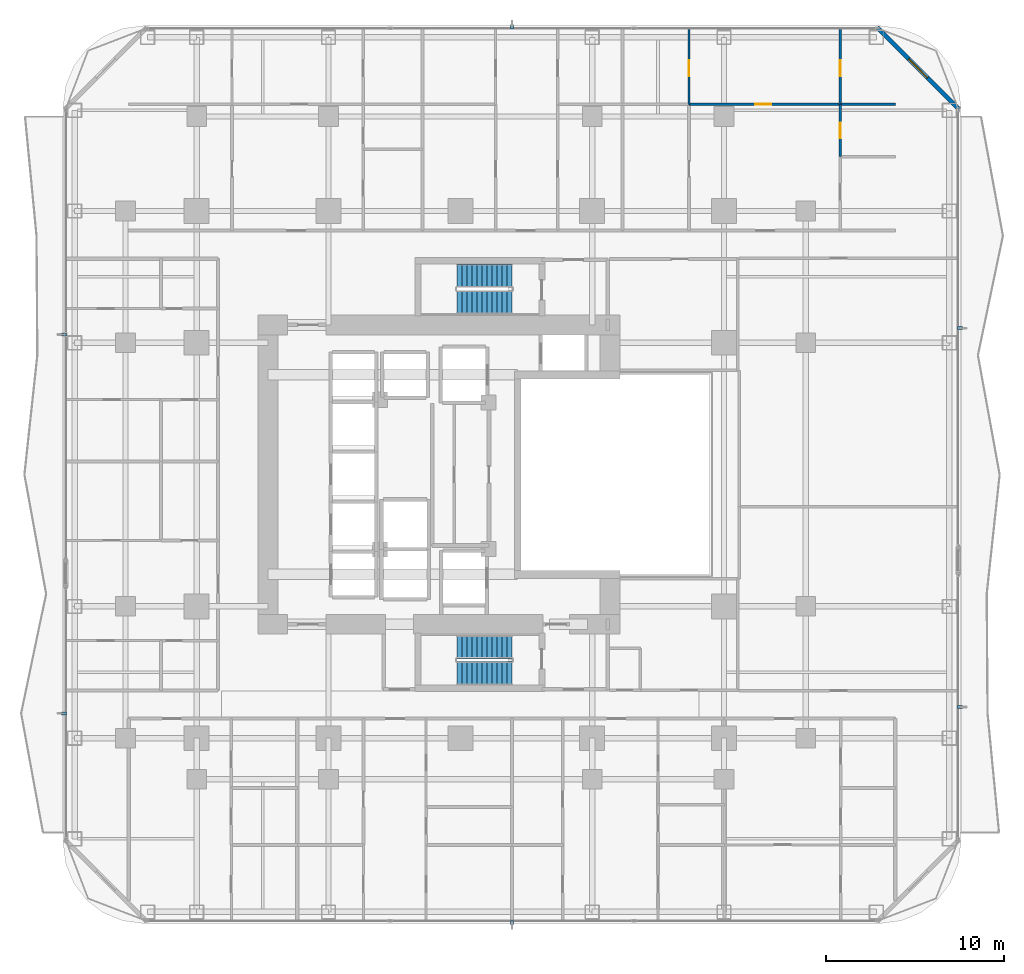
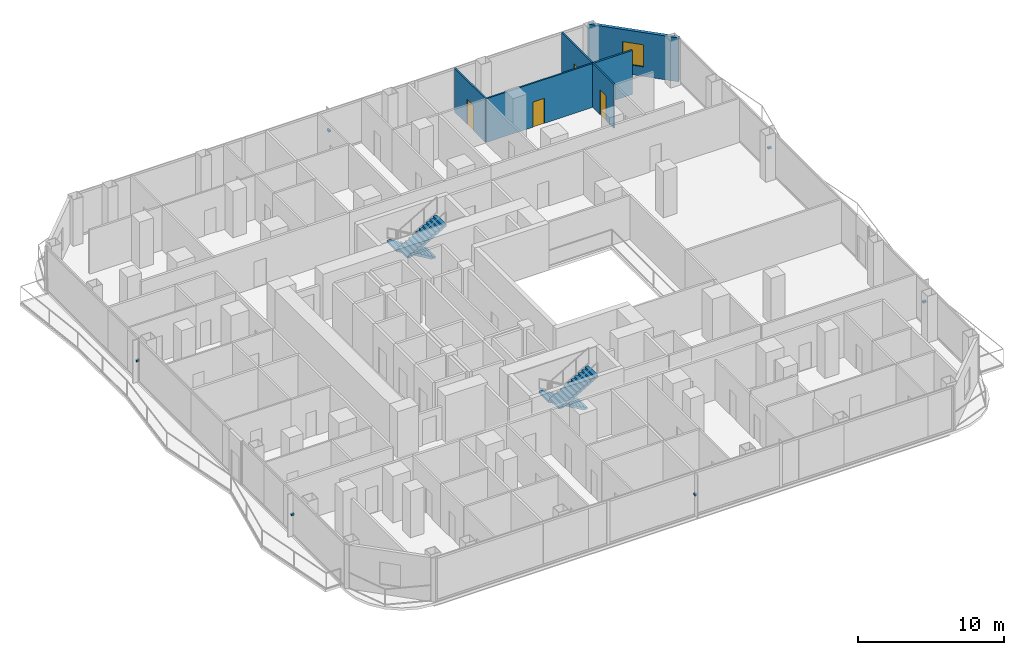
# One storey, part 25 of 30: 6 discrete accessories, 6 walls, 4 doors, 4 stair flights, 1 window, 5 openings, 2 elements without a shape of their own.
"""IFC4 building model written with IfcOpenShell, lengths in metres."""

from ifc_helpers import new_model, si_unit, direction, frame, frame_2d, origin, origin_2d, place, context, subcontext, project, spatial, polyline, rectangle, outline, extrude, material, layer, layer_set, type_object, element, fill, aggregate, save


model = new_model("IFC4")

# Units and contexts
model_context = context("Model", 3, precision=1e-05, world=origin(), true_north=direction((0.0, 1.0)))
body_context = subcontext(model_context, "Body", "Model", "MODEL_VIEW")
ifc_project = project(units=[si_unit("LENGTHUNIT", "METRE"), si_unit("AREAUNIT", "SQUARE_METRE"), si_unit("VOLUMEUNIT", "CUBIC_METRE"), si_unit("PLANEANGLEUNIT", "RADIAN"), si_unit("MASSUNIT", "GRAM", prefix="KILO")], contexts=[model_context])

# Site, building, storey
site_placement = place(None, origin())
site = spatial("IfcSite", under=ifc_project, at=site_placement, CompositionType="ELEMENT")
building_placement = place(site_placement, origin())
building = spatial("IfcBuilding", under=site, at=building_placement, Name="Khorvyn Point Tower", CompositionType="ELEMENT")
storey_placement = place(building_placement, frame((0.0, 0.0, 30.60009765625)))
storey = spatial("IfcBuildingStorey", under=building, at=storey_placement, Name="L08", CompositionType="ELEMENT", Elevation=30.60009765625)

# Wall, opening, window
ifc_material_1 = material(Name="Pale anodised aluminium rainscreen on steel stud", Category="steel")
ifc_layer_1 = layer(ifc_material_1, 0.239990234375)
ifc_layer_set_1 = layer_set([ifc_layer_1], Name="Anodised Aluminium Insulated Corner Spandrel Wall 240")
wall_type_1 = type_object("IfcWallType", Name="Anodised Aluminium Insulated Corner Spandrel Wall 240", PredefinedType="SOLIDWALL", material=ifc_layer_set_1)
wall_1_placement = place(storey_placement, frame((23.40771484375, 25.09228515625, 0.0), z_axis=(0.0, 0.0, 1.0), x_axis=(0.707106781187, -0.707106781187, 0.0)))
wall_1 = element("IfcWall", 1, at=wall_1_placement, inside=storey, type_object=wall_type_1, Name="L08 Rounded Corner Wall NE", PredefinedType="SOLIDWALL", context=body_context, shape_type="SweptSolid", body=[
    extrude(rectangle(XDim=6.48388671875, YDim=0.239990234375, at=frame_2d((3.241943359375, 0.0))), origin(), (0.0, 0.0, 1.0), 3.679931640625),
])
opening_1_placement = place(wall_1_placement, frame((2.491943359375, 0.0, 0.800048828125)))
opening_1 = element("IfcOpeningElement", 2, at=opening_1_placement, cuts=wall_1, Name="Opening WN-1518", PredefinedType="OPENING", context=body_context, shape_type="SweptSolid", body=[
    extrude(rectangle(XDim=1.5, YDim=1.85009765625, at=frame_2d((0.75, 0.925048828125))), frame((0.0, 0.1298828125, 0.0), z_axis=(0.0, -1.0, 0.0), x_axis=(1.0, 0.0, 0.0)), (0.0, 0.0, 1.0), 0.260009765625),
])
ifc_material_2 = material(Name="Anodised aluminium 6063-T6 and laminated Low-E glass", Category="aluminium")
window_type = type_object("IfcWindowType", Name="Anodised Aluminium Rounded-Corner Panoramic Window 1500x1850", PartitioningType="SINGLE_PANEL", PredefinedType="WINDOW", material=ifc_material_2)
window_placement = place(opening_1_placement, origin())
window = element("IfcWindow", 3, at=window_placement, inside=storey, type_object=window_type, Name="L08 Corner Panoramic Window NE", OverallHeight=1.85009765625, OverallWidth=1.5, PartitioningType="SINGLE_PANEL", PredefinedType="WINDOW", context=body_context, shape_type="SweptSolid", body=[
    extrude(rectangle(XDim=1.5, YDim=1.85009765625, at=frame_2d((0.75, 0.925048828125))), frame((0.0, 0.030029296875, 0.0), z_axis=(0.0, -1.0, 0.0), x_axis=(1.0, 0.0, 0.0)), (0.0, 0.0, 1.0), 0.06005859375),
])
fill(opening_1, window)

# Wall, opening, door
ifc_material_3 = material(Name="Gypsum plasterboard on steel stud", Category="steel")
ifc_layer_2 = layer(ifc_material_3, 0.1201171875)
ifc_layer_set_2 = layer_set([ifc_layer_2], Name="Gypsum Acoustic Stud Room Partition Wall 120")
wall_type_2 = type_object("IfcWallType", Name="Gypsum Acoustic Stud Room Partition Wall 120", PredefinedType="PARTITIONING", material=ifc_layer_set_2)
wall_2_placement = place(storey_placement, frame((12.833984375, 20.7900390625, 0.0), z_axis=(0.0, 0.0, 1.0), x_axis=(1.0, 0.0, 0.0)))
wall_2 = element("IfcWall", 4, at=wall_2_placement, inside=storey, type_object=wall_type_2, Name="Wall", PredefinedType="PARTITIONING", context=body_context, shape_type="SweptSolid", body=[
    extrude(rectangle(XDim=8.49609375, YDim=0.1201171875, at=frame_2d((4.248046875, 0.0))), origin(), (0.0, 0.0, 1.0), 3.679931640625),
])
opening_2_placement = place(wall_2_placement, frame((3.709228515625, 0.0, 0.0)))
opening_2 = element("IfcOpeningElement", 5, at=opening_2_placement, cuts=wall_2, Name="Opening ID-RM90", PredefinedType="OPENING", context=body_context, shape_type="SweptSolid", body=[
    extrude(rectangle(XDim=0.89990234375, YDim=2.10009765625, at=frame_2d((0.449951171875, 1.050048828125))), frame((0.0, 0.070068359375, 0.0), z_axis=(0.0, -1.0, 0.0), x_axis=(1.0, 0.0, 0.0)), (0.0, 0.0, 1.0), 0.14013671875),
])
ifc_material_4 = material(Name="Engineered oak veneer timber", Category="wood")
door_type_1 = type_object("IfcDoorType", Name="Flush Engineered Timber Room Door 900x2100", OperationType="NOTDEFINED", PredefinedType="DOOR", material=ifc_material_4)
door_1_placement = place(opening_2_placement, origin())
door_1 = element("IfcDoor", 6, at=door_1_placement, inside=storey, type_object=door_type_1, Name="Door", OperationType="SINGLE_SWING_RIGHT", OverallHeight=2.10009765625, OverallWidth=0.89990234375, PredefinedType="DOOR", context=body_context, shape_type="SweptSolid", body=[
    extrude(rectangle(XDim=0.89990234375, YDim=2.10009765625, at=frame_2d((0.449951171875, 1.050048828125))), frame((0.0, 0.02490234375, 0.0), z_axis=(0.0, -1.0, 0.0), x_axis=(1.0, 0.0, 0.0)), (0.0, 0.0, 1.0), 0.050048828125),
])
fill(opening_2, door_1)

wall_3_placement = place(storey_placement, frame((12.833984375, 20.7900390625, 0.0), z_axis=(0.0, 0.0, 1.0), x_axis=(0.0, 1.0, 0.0)))
wall_3 = element("IfcWall", 7, at=wall_3_placement, inside=storey, type_object=wall_type_2, Name="Wall", PredefinedType="PARTITIONING", context=body_context, shape_type="SweptSolid", body=[
    extrude(rectangle(XDim=4.239990234375, YDim=0.1201171875, at=frame_2d((2.1201171875, 0.0))), origin(), (0.0, 0.0, 1.0), 3.679931640625),
])
opening_3_placement = place(wall_3_placement, frame((1.581298828125, 0.0, 0.0)))
opening_3 = element("IfcOpeningElement", 8, at=opening_3_placement, cuts=wall_3, Name="Opening ID-RM90", PredefinedType="OPENING", context=body_context, shape_type="SweptSolid", body=[
    extrude(rectangle(XDim=0.89990234375, YDim=2.10009765625, at=frame_2d((0.449951171875, 1.050048828125))), frame((0.0, 0.070068359375, 0.0), z_axis=(0.0, -1.0, 0.0), x_axis=(1.0, 0.0, 0.0)), (0.0, 0.0, 1.0), 0.14013671875),
])
door_2_placement = place(opening_3_placement, origin())
door_2 = element("IfcDoor", 9, at=door_2_placement, inside=storey, type_object=door_type_1, Name="Door", OperationType="SINGLE_SWING_RIGHT", OverallHeight=2.10009765625, OverallWidth=0.89990234375, PredefinedType="DOOR", context=body_context, shape_type="SweptSolid", body=[
    extrude(rectangle(XDim=0.89990234375, YDim=2.10009765625, at=frame_2d((0.449951171875, 1.050048828125))), frame((0.0, 0.02490234375, 0.0), z_axis=(0.0, -1.0, 0.0), x_axis=(1.0, 0.0, 0.0)), (0.0, 0.0, 1.0), 0.050048828125),
])
fill(opening_3, door_2)

wall_4_placement = place(storey_placement, frame((21.330078125, 17.847900390625, 0.0), z_axis=(0.0, 0.0, 1.0), x_axis=(0.0, 1.0, 0.0)))
wall_4 = element("IfcWall", 10, at=wall_4_placement, inside=storey, type_object=wall_type_2, Name="Wall", PredefinedType="PARTITIONING", context=body_context, shape_type="SweptSolid", body=[
    extrude(rectangle(XDim=2.942138671875, YDim=0.1201171875, at=frame_2d((1.47119140625, 0.0))), origin(), (0.0, 0.0, 1.0), 3.679931640625),
])
opening_4_placement = place(wall_4_placement, frame((1.0458984375, 0.0, 0.0)))
opening_4 = element("IfcOpeningElement", 11, at=opening_4_placement, cuts=wall_4, Name="Opening ID-WC85", PredefinedType="OPENING", context=body_context, shape_type="SweptSolid", body=[
    extrude(rectangle(XDim=0.85009765625, YDim=2.10009765625, at=frame_2d((0.425048828125, 1.050048828125))), frame((0.0, 0.070068359375, 0.0), z_axis=(0.0, -1.0, 0.0), x_axis=(1.0, 0.0, 0.0)), (0.0, 0.0, 1.0), 0.14013671875),
])
ifc_material_5 = material(Name="High-pressure laminate on moisture-resistant core", Category="wood")
door_type_2 = type_object("IfcDoorType", Name="Moisture-Resistant Accessible Washroom Door 850x2100", OperationType="NOTDEFINED", PredefinedType="DOOR", material=ifc_material_5)
door_3_placement = place(opening_4_placement, origin())
door_3 = element("IfcDoor", 12, at=door_3_placement, inside=storey, type_object=door_type_2, Name="Door", OperationType="SINGLE_SWING_RIGHT", OverallHeight=2.10009765625, OverallWidth=0.85009765625, PredefinedType="DOOR", context=body_context, shape_type="SweptSolid", body=[
    extrude(rectangle(XDim=0.85009765625, YDim=2.10009765625, at=frame_2d((0.425048828125, 1.050048828125))), frame((0.0, 0.02490234375, 0.0), z_axis=(0.0, -1.0, 0.0), x_axis=(1.0, 0.0, 0.0)), (0.0, 0.0, 1.0), 0.050048828125),
])
fill(opening_4, door_3)

wall_5_placement = place(storey_placement, frame((21.330078125, 20.7900390625, 0.0), z_axis=(0.0, 0.0, 1.0), x_axis=(0.0, 1.0, 0.0)))
wall_5 = element("IfcWall", 13, at=wall_5_placement, inside=storey, type_object=wall_type_2, Name="Wall", PredefinedType="PARTITIONING", context=body_context, shape_type="SweptSolid", body=[
    extrude(rectangle(XDim=4.239990234375, YDim=0.1201171875, at=frame_2d((2.1201171875, 0.0))), origin(), (0.0, 0.0, 1.0), 3.679931640625),
])
opening_5_placement = place(wall_5_placement, frame((1.581298828125, 0.0, 0.0)))
opening_5 = element("IfcOpeningElement", 14, at=opening_5_placement, cuts=wall_5, Name="Opening ID-RM90", PredefinedType="OPENING", context=body_context, shape_type="SweptSolid", body=[
    extrude(rectangle(XDim=0.89990234375, YDim=2.10009765625, at=frame_2d((0.449951171875, 1.050048828125))), frame((0.0, 0.070068359375, 0.0), z_axis=(0.0, -1.0, 0.0), x_axis=(1.0, 0.0, 0.0)), (0.0, 0.0, 1.0), 0.14013671875),
])
door_4_placement = place(opening_5_placement, origin())
door_4 = element("IfcDoor", 15, at=door_4_placement, inside=storey, type_object=door_type_1, Name="Door", OperationType="SINGLE_SWING_LEFT", OverallHeight=2.10009765625, OverallWidth=0.89990234375, PredefinedType="DOOR", context=body_context, shape_type="SweptSolid", body=[
    extrude(rectangle(XDim=0.89990234375, YDim=2.10009765625, at=frame_2d((0.449951171875, 1.050048828125))), frame((0.0, 0.02490234375, 0.0), z_axis=(0.0, -1.0, 0.0), x_axis=(1.0, 0.0, 0.0)), (0.0, 0.0, 1.0), 0.050048828125),
])
fill(opening_5, door_4)

# Wall
ifc_material_6 = material(Name="Moisture-resistant gypsum and cement board", Category="gypsum")
ifc_layer_3 = layer(ifc_material_6, 0.14990234375)
ifc_layer_set_3 = layer_set([ifc_layer_3], Name="Moisture-Resistant Wet-Room Partition Wall 150")
wall_type_3 = type_object("IfcWallType", Name="Moisture-Resistant Wet-Room Partition Wall 150", PredefinedType="PARTITIONING", material=ifc_layer_set_3)
wall_6_placement = place(storey_placement, frame((21.330078125, 20.7900390625, 0.0), z_axis=(0.0, 0.0, 1.0), x_axis=(1.0, 0.0, 0.0)))
element("IfcWall", 16, at=wall_6_placement, inside=storey, type_object=wall_type_3, Name="Wall", PredefinedType="PARTITIONING", context=body_context, shape_type="SweptSolid", body=[
    extrude(rectangle(XDim=3.08984375, YDim=0.14990234375, at=frame_2d((1.544921875, 0.0))), origin(), (0.0, 0.0, 1.0), 3.679931640625),
])

# Stair, stair flights
ifc_material_7 = material(Name="Concrete C40/50", Category="concrete")
stair_type = type_object("IfcStairType", Name="Tower Concrete C40/50 Dogleg Exit Stair", PredefinedType="HALF_TURN_STAIR", material=ifc_material_7)
stair_1_placement = place(storey_placement, origin())
stair_1 = element("IfcStair", 17, at=stair_1_placement, inside=storey, type_object=stair_type, Name="L08 Tower Smokeproof Exit Stair South", PredefinedType="HALF_TURN_STAIR")
stair_flight_type = type_object("IfcStairFlightType", Name="Tower Concrete C40/50 Stair Flight", PredefinedType="STRAIGHT", material=ifc_material_7)
stair_flight_1_placement = place(storey_placement, frame((2.89990234375, -9.679931640625, 0.0), z_axis=(0.0, 0.0, 1.0), x_axis=(-1.0, 0.0, 0.0)))
stair_flight_1 = element("IfcStairFlight", 18, at=stair_flight_1_placement, type_object=stair_flight_type, Name="ST-01 flight 1", NumberOfRisers=12, NumberOfTreads=11, PredefinedType="STRAIGHT", RiserHeight=0.1625, TreadLength=0.28, context=body_context, shape_type="SweptSolid", body=[
    extrude(outline(polyline([(0.0, 0.0), (0.0, 0.16259765625), (0.280029296875, 0.16259765625), (0.280029296875, 0.324951171875), (0.56005859375, 0.324951171875), (0.56005859375, 0.487548828125), (0.840087890625, 0.487548828125), (0.840087890625, 0.64990234375), (1.1201171875, 0.64990234375), (1.1201171875, 0.8125), (1.39990234375, 0.8125), (1.39990234375, 0.97509765625), (1.679931640625, 0.97509765625), (1.679931640625, 1.137451171875), (1.9599609375, 1.137451171875), (1.9599609375, 1.300048828125), (2.239990234375, 1.300048828125), (2.239990234375, 1.46240234375), (2.52001953125, 1.46240234375), (2.52001953125, 1.625), (2.800048828125, 1.625), (2.800048828125, 1.78759765625), (3.080078125, 1.78759765625), (3.080078125, 1.949951171875), (3.080078125, 1.6142578125), (0.298583984375, 0.0), (0.0, 0.0)])), frame((0.0, 0.66015625, 0.0), z_axis=(0.0, -1.0, 0.0), x_axis=(1.0, 0.0, 0.0)), (0.0, 0.0, 1.0), 1.320068359375),
])
stair_flight_2_placement = place(storey_placement, frame((-0.179931640625, -11.159912109375, 1.949951171875), z_axis=(0.0, 0.0, 1.0), x_axis=(1.0, 0.0, 0.0)))
stair_flight_2 = element("IfcStairFlight", 19, at=stair_flight_2_placement, type_object=stair_flight_type, Name="ST-01 flight 2", NumberOfRisers=12, NumberOfTreads=11, PredefinedType="STRAIGHT", RiserHeight=0.1625, TreadLength=0.28, context=body_context, shape_type="SweptSolid", body=[
    extrude(outline(polyline([(0.0, 0.0), (0.0, 0.16259765625), (0.280029296875, 0.16259765625), (0.280029296875, 0.324951171875), (0.56005859375, 0.324951171875), (0.56005859375, 0.487548828125), (0.840087890625, 0.487548828125), (0.840087890625, 0.64990234375), (1.1201171875, 0.64990234375), (1.1201171875, 0.8125), (1.39990234375, 0.8125), (1.39990234375, 0.97509765625), (1.679931640625, 0.97509765625), (1.679931640625, 1.137451171875), (1.9599609375, 1.137451171875), (1.9599609375, 1.300048828125), (2.239990234375, 1.300048828125), (2.239990234375, 1.46240234375), (2.52001953125, 1.46240234375), (2.52001953125, 1.625), (2.800048828125, 1.625), (2.800048828125, 1.78759765625), (3.080078125, 1.78759765625), (3.080078125, 1.949951171875), (3.080078125, 1.6142578125), (0.298583984375, 0.0), (0.0, 0.0)])), frame((0.0, 0.66015625, 0.0), z_axis=(0.0, -1.0, 0.0), x_axis=(1.0, 0.0, 0.0)), (0.0, 0.0, 1.0), 1.320068359375),
])
aggregate(stair_1, [stair_flight_1, stair_flight_2])

stair_2_placement = place(storey_placement, origin())
stair_2 = element("IfcStair", 20, at=stair_2_placement, inside=storey, type_object=stair_type, Name="L08 Tower Smokeproof Exit Stair North", PredefinedType="HALF_TURN_STAIR")
stair_flight_3_placement = place(storey_placement, frame((2.89990234375, 11.159912109375, 0.0), z_axis=(0.0, 0.0, 1.0), x_axis=(-1.0, 0.0, 0.0)))
stair_flight_3 = element("IfcStairFlight", 21, at=stair_flight_3_placement, type_object=stair_flight_type, Name="ST-02 flight 1", NumberOfRisers=12, NumberOfTreads=11, PredefinedType="STRAIGHT", RiserHeight=0.1625, TreadLength=0.28, context=body_context, shape_type="SweptSolid", body=[
    extrude(outline(polyline([(0.0, 0.0), (0.0, 0.16259765625), (0.280029296875, 0.16259765625), (0.280029296875, 0.324951171875), (0.56005859375, 0.324951171875), (0.56005859375, 0.487548828125), (0.840087890625, 0.487548828125), (0.840087890625, 0.64990234375), (1.1201171875, 0.64990234375), (1.1201171875, 0.8125), (1.39990234375, 0.8125), (1.39990234375, 0.97509765625), (1.679931640625, 0.97509765625), (1.679931640625, 1.137451171875), (1.9599609375, 1.137451171875), (1.9599609375, 1.300048828125), (2.239990234375, 1.300048828125), (2.239990234375, 1.46240234375), (2.52001953125, 1.46240234375), (2.52001953125, 1.625), (2.800048828125, 1.625), (2.800048828125, 1.78759765625), (3.080078125, 1.78759765625), (3.080078125, 1.949951171875), (3.080078125, 1.6142578125), (0.298583984375, 0.0), (0.0, 0.0)])), frame((0.0, 0.66015625, 0.0), z_axis=(0.0, -1.0, 0.0), x_axis=(1.0, 0.0, 0.0)), (0.0, 0.0, 1.0), 1.320068359375),
])
stair_flight_4_placement = place(storey_placement, frame((-0.179931640625, 9.679931640625, 1.949951171875), z_axis=(0.0, 0.0, 1.0), x_axis=(1.0, 0.0, 0.0)))
stair_flight_4 = element("IfcStairFlight", 22, at=stair_flight_4_placement, type_object=stair_flight_type, Name="ST-02 flight 2", NumberOfRisers=12, NumberOfTreads=11, PredefinedType="STRAIGHT", RiserHeight=0.1625, TreadLength=0.28, context=body_context, shape_type="SweptSolid", body=[
    extrude(outline(polyline([(0.0, 0.0), (0.0, 0.16259765625), (0.280029296875, 0.16259765625), (0.280029296875, 0.324951171875), (0.56005859375, 0.324951171875), (0.56005859375, 0.487548828125), (0.840087890625, 0.487548828125), (0.840087890625, 0.64990234375), (1.1201171875, 0.64990234375), (1.1201171875, 0.8125), (1.39990234375, 0.8125), (1.39990234375, 0.97509765625), (1.679931640625, 0.97509765625), (1.679931640625, 1.137451171875), (1.9599609375, 1.137451171875), (1.9599609375, 1.300048828125), (2.239990234375, 1.300048828125), (2.239990234375, 1.46240234375), (2.52001953125, 1.46240234375), (2.52001953125, 1.625), (2.800048828125, 1.625), (2.800048828125, 1.78759765625), (3.080078125, 1.78759765625), (3.080078125, 1.949951171875), (3.080078125, 1.6142578125), (0.298583984375, 0.0), (0.0, 0.0)])), frame((0.0, 0.66015625, 0.0), z_axis=(0.0, -1.0, 0.0), x_axis=(1.0, 0.0, 0.0)), (0.0, 0.0, 1.0), 1.320068359375),
])
aggregate(stair_2, [stair_flight_3, stair_flight_4])

# Discrete accessories
ifc_material_8 = material(Name="Stainless steel 1.4401", Category="steel")
discrete_accessory_type = type_object("IfcDiscreteAccessoryType", Name="Stainless Steel 316 Facade Fin Fixing Bracket", PredefinedType="BRACKET", material=ifc_material_8)
for number, where, z_axis, x_axis, name in (
    (23, (2.89990234375, -25.14990234375, 1.759765625), (0.0, 0.0, 1.0), (-1.0, 0.0, 0.0), "L08 Solar Fin Fixing Bracket 01"),
    (24, (2.89990234375, 25.14990234375, 1.759765625), (0.0, 0.0, 1.0), (1.0, 0.0, 0.0), "L08 Solar Fin Fixing Bracket 01"),
    (25, (-22.25, -13.406982421875, 1.759765625), (0.0, 0.0, 1.0), (0.0, 1.0, 0.0), "L08 Solar Fin Fixing Bracket 01"),
    (26, (-22.25, 7.863037109375, 1.759765625), (0.0, 0.0, 1.0), (0.0, 1.0, 0.0), "L08 Solar Fin Fixing Bracket 01"),
    (27, (28.050048828125, 8.219970703125, 1.759765625), (0.0, 0.0, 1.0), (0.0, -1.0, 0.0), "L08 Solar Fin Fixing Bracket 01"),
    (28, (28.050048828125, -13.050048828125, 1.759765625), (0.0, 0.0, 1.0), (0.0, -1.0, 0.0), "L08 Solar Fin Fixing Bracket 01"),
):
    element("IfcDiscreteAccessory", number, at=place(storey_placement, frame(where, z_axis=z_axis, x_axis=x_axis)), inside=storey, type_object=discrete_accessory_type, Name=name, PredefinedType="BRACKET", context=body_context, shape_type="SweptSolid", body=[
        extrude(rectangle(XDim=0.159912109375, YDim=0.260009765625, at=origin_2d()), origin(), (0.0, 0.0, 1.0), 0.159912109375),
    ])

save(model, "model.ifc")
